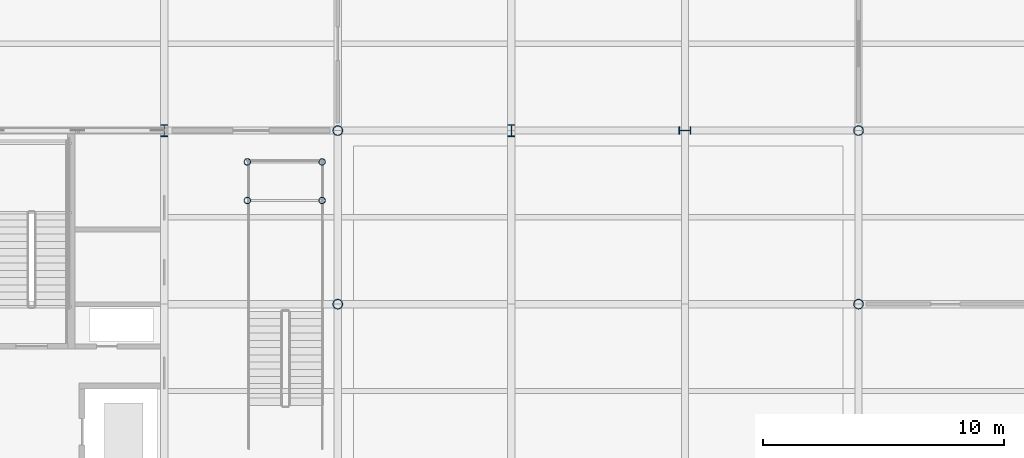
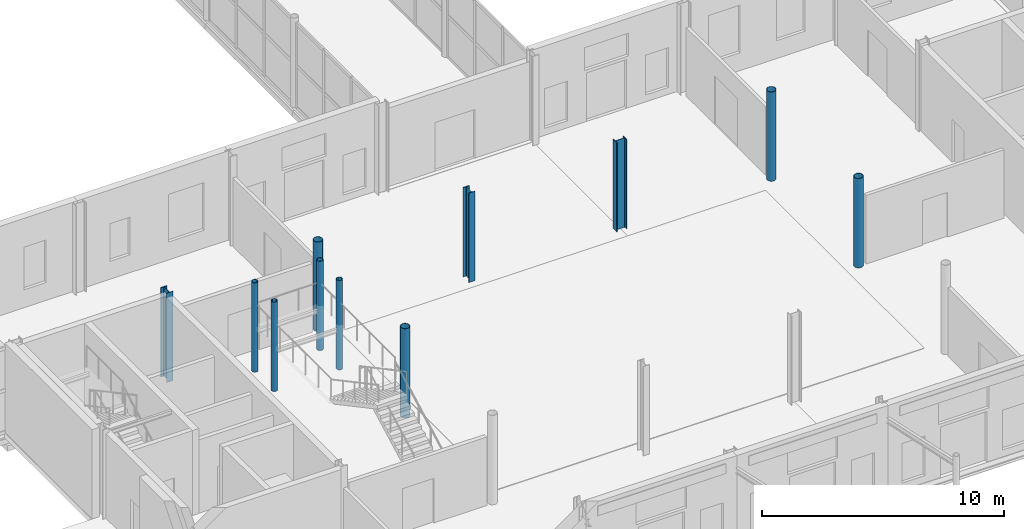
# One storey, part 6 of 92: 11 columns.
"""IFC4 building model written with IfcOpenShell, lengths in metres."""

from ifc_helpers import new_model, si_unit, direction, frame, origin, origin_2d, place, context, subcontext, project, spatial, hollow_circle, i_section, extrude, material, material_profile, profile_set, type_object, element, save


model = new_model("IFC4")

# Units and contexts
model_context = context("Model", 3, precision=1e-05, world=origin(), true_north=direction((0.0, 1.0)))
body_context = subcontext(model_context, "Body", "Model", "MODEL_VIEW")
ifc_project = project(units=[si_unit("LENGTHUNIT", "METRE"), si_unit("AREAUNIT", "SQUARE_METRE"), si_unit("VOLUMEUNIT", "CUBIC_METRE"), si_unit("PLANEANGLEUNIT", "RADIAN"), si_unit("MASSUNIT", "GRAM", prefix="KILO")], contexts=[model_context])

# Site, building, storey
site_placement = place(None, origin())
site = spatial("IfcSite", under=ifc_project, at=site_placement, CompositionType="ELEMENT")
building_placement = place(site_placement, origin())
building = spatial("IfcBuilding", under=site, at=building_placement, Name="Zlatovets Crest Museum", CompositionType="ELEMENT")
storey_placement = place(building_placement, origin())
storey = spatial("IfcBuildingStorey", under=building, at=storey_placement, Name="L00", CompositionType="ELEMENT", Elevation=0.0)

# Columns
ifc_material = material(Name="Structural steel S355J2", Category="steel")
ifc_material_profile_1 = material_profile(ifc_material, i_section(OverallWidth=0.300048828125, OverallDepth=0.5, WebThickness=0.014404296875, FlangeThickness=0.028076171875, FilletRadius=0.027099609375, at=origin_2d()), Name="HEB 500")
ifc_profile_set_1 = profile_set([ifc_material_profile_1], Name="Structural steel S355J2")
column_type_1 = type_object("IfcColumnType", Name="Col_C-05", PredefinedType="COLUMN", material=ifc_profile_set_1)
for number, where, z_axis, x_axis, name in (
    (1, (64.800048828125, 21.60009765625, 0.0), (0.0, 0.0, 1.0), (1.0, 0.0, 0.0), "V2 L00 Column (64.8, 21.6)"),
    (2, (79.199951171875, 21.60009765625, 0.0), (0.0, 0.0, 1.0), (1.0, 0.0, 0.0), "V2 L00 Column (79.2, 21.6)"),
    (3, (86.39990234375, 21.60009765625, 0.0), (0.0, 0.0, 1.0), (0.0, 1.0, 0.0), "V2 L00 Column (86.4, 21.6)"),
):
    element("IfcColumn", number, at=place(storey_placement, frame(where, z_axis=z_axis, x_axis=x_axis)), inside=storey, type_object=column_type_1, Name=name, PredefinedType="COLUMN", context=body_context, shape_type="SweptSolid", body=[
        extrude(i_section(OverallWidth=0.300048828125, OverallDepth=0.5, WebThickness=0.014404296875, FlangeThickness=0.028076171875, FilletRadius=0.027099609375, at=origin_2d()), origin(), (0.0, 0.0, 1.0), 4.5),
    ])
ifc_material_profile_2 = material_profile(ifc_material, hollow_circle(Radius=0.203125, WallThickness=0.01611328125, at=origin_2d()), Name="CHS 406.4x16.0")
ifc_profile_set_2 = profile_set([ifc_material_profile_2], Name="Structural steel S355J2")
column_type_2 = type_object("IfcColumnType", Name="Col_C-12", PredefinedType="COLUMN", material=ifc_profile_set_2)
for number, where, z_axis, x_axis, name in (
    (4, (72.0, 14.39990234375, 0.0), (0.0, 0.0, 1.0), (1.0, 0.0, 0.0), "V2 L00 Column (72.0, 14.4)"),
    (5, (72.0, 21.60009765625, 0.0), (0.0, 0.0, 1.0), (0.0, 1.0, 0.0), "V2 L00 Column (72.0, 21.6)"),
    (6, (93.60009765625, 14.39990234375, 0.0), (0.0, 0.0, 1.0), (0.0, 1.0, 0.0), "V2 L00 Column (93.6, 14.4)"),
    (7, (93.60009765625, 21.60009765625, 0.0), (0.0, 0.0, 1.0), (1.0, 0.0, 0.0), "V2 L00 Column (93.6, 21.6)"),
):
    element("IfcColumn", number, at=place(storey_placement, frame(where, z_axis=z_axis, x_axis=x_axis)), inside=storey, type_object=column_type_2, Name=name, PredefinedType="COLUMN", context=body_context, shape_type="SweptSolid", body=[
        extrude(hollow_circle(Radius=0.203125, WallThickness=0.01611328125, at=origin_2d()), origin(), (0.0, 0.0, 1.0), 4.5),
    ])
ifc_material_profile_3 = material_profile(ifc_material, hollow_circle(Radius=0.136474609375, WallThickness=0.012451171875, at=origin_2d()), Name="CHS 273.0x12.5")
ifc_profile_set_3 = profile_set([ifc_material_profile_3], Name="Structural steel S355J2")
column_type_3 = type_object("IfcColumnType", Name="Col_C-14", PredefinedType="COLUMN", material=ifc_profile_set_3)
for number, where, z_axis, x_axis, name in (
    (8, (68.25, 18.699951171875, 0.0), (0.0, 0.0, 1.0), (1.0, 0.0, 0.0), "Atrium Feature Stair Support Column"),
    (9, (71.35009765625, 18.699951171875, 0.0), (0.0, 0.0, 1.0), (1.0, 0.0, 0.0), "Atrium Feature Stair Support Column"),
    (10, (68.25, 20.300048828125, 0.0), (0.0, 0.0, 1.0), (1.0, 0.0, 0.0), "Atrium Feature Stair Support Column"),
    (11, (71.35009765625, 20.300048828125, 0.0), (0.0, 0.0, 1.0), (1.0, 0.0, 0.0), "Atrium Feature Stair Support Column"),
):
    element("IfcColumn", number, at=place(storey_placement, frame(where, z_axis=z_axis, x_axis=x_axis)), inside=storey, type_object=column_type_3, Name=name, PredefinedType="COLUMN", context=body_context, shape_type="SweptSolid", body=[
        extrude(hollow_circle(Radius=0.136474609375, WallThickness=0.012451171875, at=origin_2d()), origin(), (0.0, 0.0, 1.0), 4.5),
    ])

save(model, "model.ifc")
